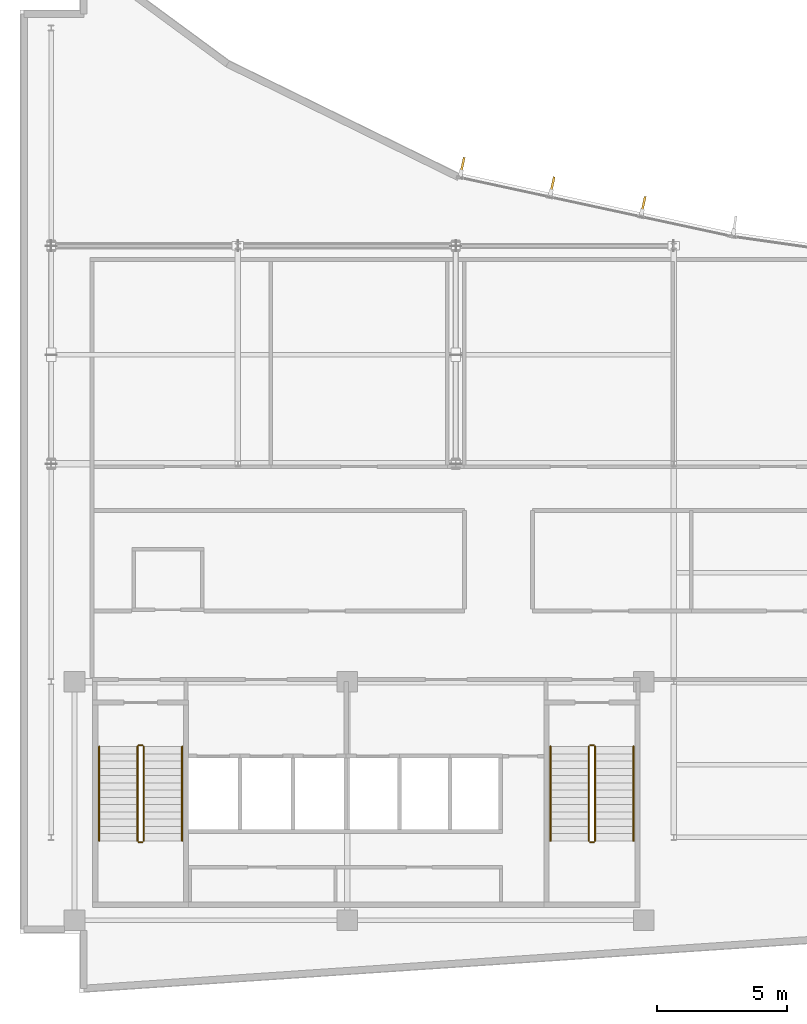
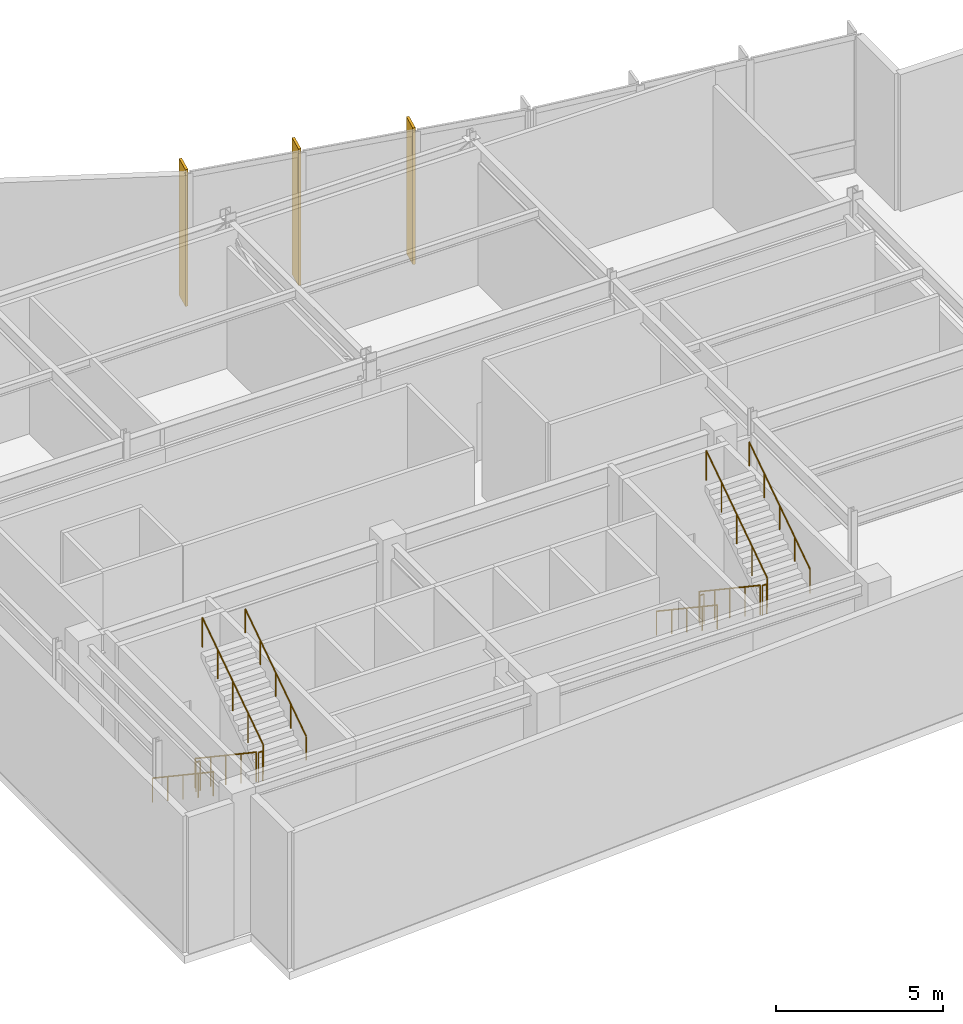
# One storey, part 12 of 14: 12 railings, 3 shading devices.
"""IFC4 building model written with IfcOpenShell, lengths in metres."""

from ifc_helpers import new_model, si_unit, direction, frame, origin, origin_2d, place, context, subcontext, project, spatial, rectangle, circle, extrude, material, layer, layer_set, type_object, element, save


model = new_model("IFC4")

# Units and contexts
model_context = context("Model", 3, precision=1e-05, world=origin(), true_north=direction((0.0, 1.0)))
body_context = subcontext(model_context, "Body", "Model", "MODEL_VIEW")
ifc_project = project(units=[si_unit("LENGTHUNIT", "METRE"), si_unit("AREAUNIT", "SQUARE_METRE"), si_unit("VOLUMEUNIT", "CUBIC_METRE"), si_unit("PLANEANGLEUNIT", "RADIAN"), si_unit("MASSUNIT", "GRAM", prefix="KILO")], contexts=[model_context])

# Site, building, storey
site_placement = place(None, origin())
site = spatial("IfcSite", under=ifc_project, at=site_placement, CompositionType="ELEMENT")
building_placement = place(site_placement, origin())
building = spatial("IfcBuilding", under=site, at=building_placement, Name="Varnakote Quay Hospital", CompositionType="ELEMENT")
storey_placement = place(building_placement, frame((0.0, 0.0, 303.949951171875)))
storey = spatial("IfcBuildingStorey", under=building, at=storey_placement, Name="L75", CompositionType="ELEMENT", Elevation=303.949951171875)

# Railings
ifc_material_1 = material(Name="Brushed stainless steel balustrade", Category="steel")
railing_type_1 = type_object("IfcRailingType", Name="RLG-STAIR-GUARD-1150", PredefinedType="GUARDRAIL", material=ifc_material_1)
railing_1_placement = place(storey_placement, frame((4.530029296875, 9.5, 0.1875)))
element("IfcRailing", 1, at=railing_1_placement, inside=storey, type_object=railing_type_1, Name="L75 ST-01 stair guard 1", PredefinedType="GUARDRAIL", context=body_context, shape_type="SweptSolid", body=[
    extrude(circle(Radius=0.02392578125, at=origin_2d()), frame((0.0, 0.0, 1.076171875), z_axis=(0.0, -0.830899585108, 0.556422393032), x_axis=(1.0, 0.0, 0.0)), (0.0, 0.0, 1.0), 4.380615234375),
    extrude(circle(Radius=0.02099609375, at=origin_2d()), origin(), (0.0, 0.0, 1.0), 1.052001953125),
    extrude(circle(Radius=0.02099609375, at=origin_2d()), frame((0.0, -0.909912109375, 0.609375)), (0.0, 0.0, 1.0), 1.052001953125),
    extrude(circle(Radius=0.02099609375, at=origin_2d()), frame((0.0, -1.81982421875, 1.21875)), (0.0, 0.0, 1.0), 1.052001953125),
    extrude(circle(Radius=0.02099609375, at=origin_2d()), frame((0.0, -2.72998046875, 1.828125)), (0.0, 0.0, 1.0), 1.052001953125),
    extrude(circle(Radius=0.02099609375, at=origin_2d()), frame((0.0, -3.639892578125, 2.4375)), (0.0, 0.0, 1.0), 1.052001953125),
])
railing_2_placement = place(storey_placement, frame((4.580078125, 5.81005859375, 2.625)))
element("IfcRailing", 2, at=railing_2_placement, inside=storey, type_object=railing_type_1, Name="L75 ST-01 stair guard 2", PredefinedType="GUARDRAIL", context=body_context, shape_type="SweptSolid", body=[
    extrude(circle(Radius=0.02392578125, at=origin_2d()), frame((0.0, 0.0, 1.076171875), z_axis=(1.0, 0.0, 0.0), x_axis=(0.0, 1.0, 0.0)), (0.0, 0.0, 1.0), 0.139892578125),
    extrude(circle(Radius=0.02099609375, at=origin_2d()), origin(), (0.0, 0.0, 1.0), 1.052001953125),
    extrude(circle(Radius=0.02099609375, at=origin_2d()), frame((0.139892578125, 0.0, 0.0)), (0.0, 0.0, 1.0), 1.052001953125),
])
railing_3_placement = place(storey_placement, frame((4.77001953125, 5.860107421875, 2.8125)))
element("IfcRailing", 3, at=railing_3_placement, inside=storey, type_object=railing_type_1, Name="L75 ST-01 stair guard 3", PredefinedType="GUARDRAIL", context=body_context, shape_type="SweptSolid", body=[
    extrude(circle(Radius=0.02392578125, at=origin_2d()), frame((0.0, 0.0, 1.076171875), z_axis=(0.0, 0.830899585108, 0.556422393032), x_axis=(-1.0, 0.0, 0.0)), (0.0, 0.0, 1.0), 4.380615234375),
    extrude(circle(Radius=0.02099609375, at=origin_2d()), origin(), (0.0, 0.0, 1.0), 1.052001953125),
    extrude(circle(Radius=0.02099609375, at=origin_2d()), frame((0.0, 0.909912109375, 0.609375)), (0.0, 0.0, 1.0), 1.052001953125),
    extrude(circle(Radius=0.02099609375, at=origin_2d()), frame((0.0, 1.81982421875, 1.21875)), (0.0, 0.0, 1.0), 1.052001953125),
    extrude(circle(Radius=0.02099609375, at=origin_2d()), frame((0.0, 2.72998046875, 1.828125)), (0.0, 0.0, 1.0), 1.052001953125),
    extrude(circle(Radius=0.02099609375, at=origin_2d()), frame((0.0, 3.639892578125, 2.4375)), (0.0, 0.0, 1.0), 1.052001953125),
])
railing_4_placement = place(storey_placement, frame((4.580078125, 9.550048828125, 0.0)))
element("IfcRailing", 4, at=railing_4_placement, inside=storey, type_object=railing_type_1, Name="L75 ST-01 stair guard 4", PredefinedType="GUARDRAIL", context=body_context, shape_type="SweptSolid", body=[
    extrude(circle(Radius=0.02392578125, at=origin_2d()), frame((0.0, 0.0, 1.076171875), z_axis=(1.0, 0.0, 0.0), x_axis=(0.0, 1.0, 0.0)), (0.0, 0.0, 1.0), 0.139892578125),
    extrude(circle(Radius=0.02099609375, at=origin_2d()), origin(), (0.0, 0.0, 1.0), 1.052001953125),
    extrude(circle(Radius=0.02099609375, at=origin_2d()), frame((0.139892578125, 0.0, 0.0)), (0.0, 0.0, 1.0), 1.052001953125),
])
railing_5_placement = place(storey_placement, frame((21.929931640625, 9.5, 0.1875)))
element("IfcRailing", 5, at=railing_5_placement, inside=storey, type_object=railing_type_1, Name="L75 ST-02 stair guard 1", PredefinedType="GUARDRAIL", context=body_context, shape_type="SweptSolid", body=[
    extrude(circle(Radius=0.02392578125, at=origin_2d()), frame((0.0, 0.0, 1.076171875), z_axis=(0.0, -0.830899585108, 0.556422393032), x_axis=(1.0, 0.0, 0.0)), (0.0, 0.0, 1.0), 4.380615234375),
    extrude(circle(Radius=0.02099609375, at=origin_2d()), origin(), (0.0, 0.0, 1.0), 1.052001953125),
    extrude(circle(Radius=0.02099609375, at=origin_2d()), frame((0.0, -0.909912109375, 0.609375)), (0.0, 0.0, 1.0), 1.052001953125),
    extrude(circle(Radius=0.02099609375, at=origin_2d()), frame((0.0, -1.81982421875, 1.21875)), (0.0, 0.0, 1.0), 1.052001953125),
    extrude(circle(Radius=0.02099609375, at=origin_2d()), frame((0.0, -2.72998046875, 1.828125)), (0.0, 0.0, 1.0), 1.052001953125),
    extrude(circle(Radius=0.02099609375, at=origin_2d()), frame((0.0, -3.639892578125, 2.4375)), (0.0, 0.0, 1.0), 1.052001953125),
])
railing_6_placement = place(storey_placement, frame((21.97998046875, 5.81005859375, 2.625)))
element("IfcRailing", 6, at=railing_6_placement, inside=storey, type_object=railing_type_1, Name="L75 ST-02 stair guard 2", PredefinedType="GUARDRAIL", context=body_context, shape_type="SweptSolid", body=[
    extrude(circle(Radius=0.02392578125, at=origin_2d()), frame((0.0, 0.0, 1.076171875), z_axis=(1.0, 0.0, 0.0), x_axis=(0.0, 1.0, 0.0)), (0.0, 0.0, 1.0), 0.14013671875),
    extrude(circle(Radius=0.02099609375, at=origin_2d()), origin(), (0.0, 0.0, 1.0), 1.052001953125),
    extrude(circle(Radius=0.02099609375, at=origin_2d()), frame((0.14013671875, 0.0, 0.0)), (0.0, 0.0, 1.0), 1.052001953125),
])
railing_7_placement = place(storey_placement, frame((22.169921875, 5.860107421875, 2.8125)))
element("IfcRailing", 7, at=railing_7_placement, inside=storey, type_object=railing_type_1, Name="L75 ST-02 stair guard 3", PredefinedType="GUARDRAIL", context=body_context, shape_type="SweptSolid", body=[
    extrude(circle(Radius=0.02392578125, at=origin_2d()), frame((0.0, 0.0, 1.076171875), z_axis=(0.0, 0.830899585108, 0.556422393032), x_axis=(-1.0, 0.0, 0.0)), (0.0, 0.0, 1.0), 4.380615234375),
    extrude(circle(Radius=0.02099609375, at=origin_2d()), origin(), (0.0, 0.0, 1.0), 1.052001953125),
    extrude(circle(Radius=0.02099609375, at=origin_2d()), frame((0.0, 0.909912109375, 0.609375)), (0.0, 0.0, 1.0), 1.052001953125),
    extrude(circle(Radius=0.02099609375, at=origin_2d()), frame((0.0, 1.81982421875, 1.21875)), (0.0, 0.0, 1.0), 1.052001953125),
    extrude(circle(Radius=0.02099609375, at=origin_2d()), frame((0.0, 2.72998046875, 1.828125)), (0.0, 0.0, 1.0), 1.052001953125),
    extrude(circle(Radius=0.02099609375, at=origin_2d()), frame((0.0, 3.639892578125, 2.4375)), (0.0, 0.0, 1.0), 1.052001953125),
])
railing_8_placement = place(storey_placement, frame((21.97998046875, 9.550048828125, 0.0)))
element("IfcRailing", 8, at=railing_8_placement, inside=storey, type_object=railing_type_1, Name="L75 ST-02 stair guard 4", PredefinedType="GUARDRAIL", context=body_context, shape_type="SweptSolid", body=[
    extrude(circle(Radius=0.02392578125, at=origin_2d()), frame((0.0, 0.0, 1.076171875), z_axis=(1.0, 0.0, 0.0), x_axis=(0.0, 1.0, 0.0)), (0.0, 0.0, 1.0), 0.14013671875),
    extrude(circle(Radius=0.02099609375, at=origin_2d()), origin(), (0.0, 0.0, 1.0), 1.052001953125),
    extrude(circle(Radius=0.02099609375, at=origin_2d()), frame((0.14013671875, 0.0, 0.0)), (0.0, 0.0, 1.0), 1.052001953125),
])
ifc_material_2 = material(Name="Brushed stainless steel handrail", Category="steel")
railing_type_2 = type_object("IfcRailingType", Name="RLG-STAIR-HND-920", PredefinedType="HANDRAIL", material=ifc_material_2)
railing_9_placement = place(storey_placement, frame((3.050048828125, 9.5, 0.1875)))
element("IfcRailing", 9, at=railing_9_placement, inside=storey, type_object=railing_type_2, Name="L75 ST-01 stair handrail 1", PredefinedType="HANDRAIL", context=body_context, shape_type="SweptSolid", body=[
    extrude(circle(Radius=0.02392578125, at=origin_2d()), frame((0.0, 0.0, 0.8759765625), z_axis=(0.0, -0.830899585108, 0.556422393032), x_axis=(1.0, 0.0, 0.0)), (0.0, 0.0, 1.0), 4.380615234375),
    extrude(circle(Radius=0.02099609375, at=origin_2d()), origin(), (0.0, 0.0, 1.0), 0.851806640625),
    extrude(circle(Radius=0.02099609375, at=origin_2d()), frame((0.0, -0.909912109375, 0.609375)), (0.0, 0.0, 1.0), 0.851806640625),
    extrude(circle(Radius=0.02099609375, at=origin_2d()), frame((0.0, -1.81982421875, 1.21875)), (0.0, 0.0, 1.0), 0.851806640625),
    extrude(circle(Radius=0.02099609375, at=origin_2d()), frame((0.0, -2.72998046875, 1.828125)), (0.0, 0.0, 1.0), 0.851806640625),
    extrude(circle(Radius=0.02099609375, at=origin_2d()), frame((0.0, -3.639892578125, 2.4375)), (0.0, 0.0, 1.0), 0.851806640625),
])
railing_10_placement = place(storey_placement, frame((6.25, 5.860107421875, 2.8125)))
element("IfcRailing", 10, at=railing_10_placement, inside=storey, type_object=railing_type_2, Name="L75 ST-01 stair handrail 2", PredefinedType="HANDRAIL", context=body_context, shape_type="SweptSolid", body=[
    extrude(circle(Radius=0.02392578125, at=origin_2d()), frame((0.0, 0.0, 0.8759765625), z_axis=(0.0, 0.830899585108, 0.556422393032), x_axis=(-1.0, 0.0, 0.0)), (0.0, 0.0, 1.0), 4.380615234375),
    extrude(circle(Radius=0.02099609375, at=origin_2d()), origin(), (0.0, 0.0, 1.0), 0.851806640625),
    extrude(circle(Radius=0.02099609375, at=origin_2d()), frame((0.0, 0.909912109375, 0.609375)), (0.0, 0.0, 1.0), 0.851806640625),
    extrude(circle(Radius=0.02099609375, at=origin_2d()), frame((0.0, 1.81982421875, 1.21875)), (0.0, 0.0, 1.0), 0.851806640625),
    extrude(circle(Radius=0.02099609375, at=origin_2d()), frame((0.0, 2.72998046875, 1.828125)), (0.0, 0.0, 1.0), 0.851806640625),
    extrude(circle(Radius=0.02099609375, at=origin_2d()), frame((0.0, 3.639892578125, 2.4375)), (0.0, 0.0, 1.0), 0.851806640625),
])
railing_11_placement = place(storey_placement, frame((20.449951171875, 9.5, 0.1875)))
element("IfcRailing", 11, at=railing_11_placement, inside=storey, type_object=railing_type_2, Name="L75 ST-02 stair handrail 1", PredefinedType="HANDRAIL", context=body_context, shape_type="SweptSolid", body=[
    extrude(circle(Radius=0.02392578125, at=origin_2d()), frame((0.0, 0.0, 0.8759765625), z_axis=(0.0, -0.830899585108, 0.556422393032), x_axis=(1.0, 0.0, 0.0)), (0.0, 0.0, 1.0), 4.380615234375),
    extrude(circle(Radius=0.02099609375, at=origin_2d()), origin(), (0.0, 0.0, 1.0), 0.851806640625),
    extrude(circle(Radius=0.02099609375, at=origin_2d()), frame((0.0, -0.909912109375, 0.609375)), (0.0, 0.0, 1.0), 0.851806640625),
    extrude(circle(Radius=0.02099609375, at=origin_2d()), frame((0.0, -1.81982421875, 1.21875)), (0.0, 0.0, 1.0), 0.851806640625),
    extrude(circle(Radius=0.02099609375, at=origin_2d()), frame((0.0, -2.72998046875, 1.828125)), (0.0, 0.0, 1.0), 0.851806640625),
    extrude(circle(Radius=0.02099609375, at=origin_2d()), frame((0.0, -3.639892578125, 2.4375)), (0.0, 0.0, 1.0), 0.851806640625),
])
railing_12_placement = place(storey_placement, frame((23.64990234375, 5.860107421875, 2.8125)))
element("IfcRailing", 12, at=railing_12_placement, inside=storey, type_object=railing_type_2, Name="L75 ST-02 stair handrail 2", PredefinedType="HANDRAIL", context=body_context, shape_type="SweptSolid", body=[
    extrude(circle(Radius=0.02392578125, at=origin_2d()), frame((0.0, 0.0, 0.8759765625), z_axis=(0.0, 0.830899585108, 0.556422393032), x_axis=(-1.0, 0.0, 0.0)), (0.0, 0.0, 1.0), 4.380615234375),
    extrude(circle(Radius=0.02099609375, at=origin_2d()), origin(), (0.0, 0.0, 1.0), 0.851806640625),
    extrude(circle(Radius=0.02099609375, at=origin_2d()), frame((0.0, 0.909912109375, 0.609375)), (0.0, 0.0, 1.0), 0.851806640625),
    extrude(circle(Radius=0.02099609375, at=origin_2d()), frame((0.0, 1.81982421875, 1.21875)), (0.0, 0.0, 1.0), 0.851806640625),
    extrude(circle(Radius=0.02099609375, at=origin_2d()), frame((0.0, 2.72998046875, 1.828125)), (0.0, 0.0, 1.0), 0.851806640625),
    extrude(circle(Radius=0.02099609375, at=origin_2d()), frame((0.0, 3.639892578125, 2.4375)), (0.0, 0.0, 1.0), 0.851806640625),
])

# Shading devices
ifc_material_3 = material(Name="Anodised aluminium 6063-T6 Bronze", Category="aluminium")
ifc_layer = layer(ifc_material_3, 0.0849609375)
ifc_layer_set = layer_set([ifc_layer], Name="Anodised aluminium 6063-T6 Bronze")
shading_device_type = type_object("IfcShadingDeviceType", Name="SHD-BRONZE-FIN-620", PredefinedType="USERDEFINED", material=ifc_layer_set)
for number, where, z_axis, x_axis, name in (
    (13, (24.037841796875, 30.400390625, 0.0), (0.0, 0.0, 1.0), (-0.211324796455, -0.977415894286, 0.0), "L75 Anodised Bronze Vertical Shading FIN"),
    (14, (20.5283203125, 31.159423828125, 0.0), (0.0, 0.0, 1.0), (-0.211324796455, -0.977415894286, 0.0), "L75 Anodised Bronze Vertical Shading FIN"),
    (15, (17.060302734375, 31.90966796875, 0.0), (0.0, 0.0, 1.0), (-0.211324796455, -0.977415894286, 0.0), "L75 Anodised Bronze Vertical Shading FIN"),
):
    element("IfcShadingDevice", number, at=place(storey_placement, frame(where, z_axis=z_axis, x_axis=x_axis)), inside=storey, type_object=shading_device_type, Name=name, ObjectType="FIN", PredefinedType="USERDEFINED", context=body_context, shape_type="SweptSolid", body=[
        extrude(rectangle(XDim=0.6201171875, YDim=0.0849609375, at=origin_2d()), origin(), (0.0, 0.0, 1.0), 4.989990234375),
    ])

save(model, "model.ifc")
